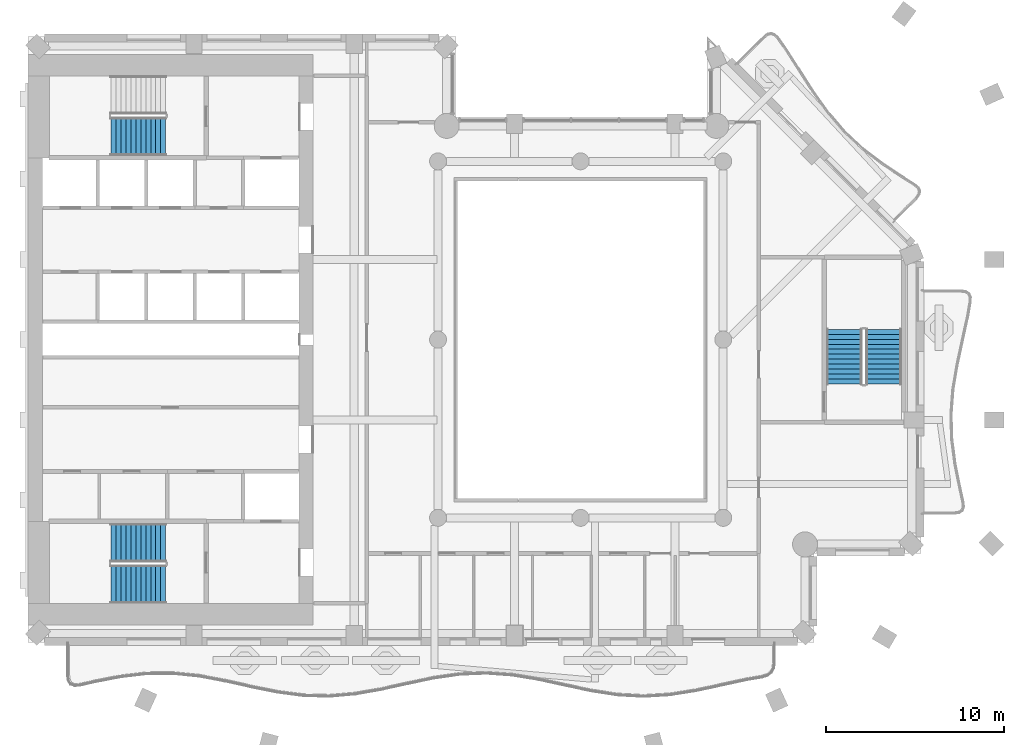
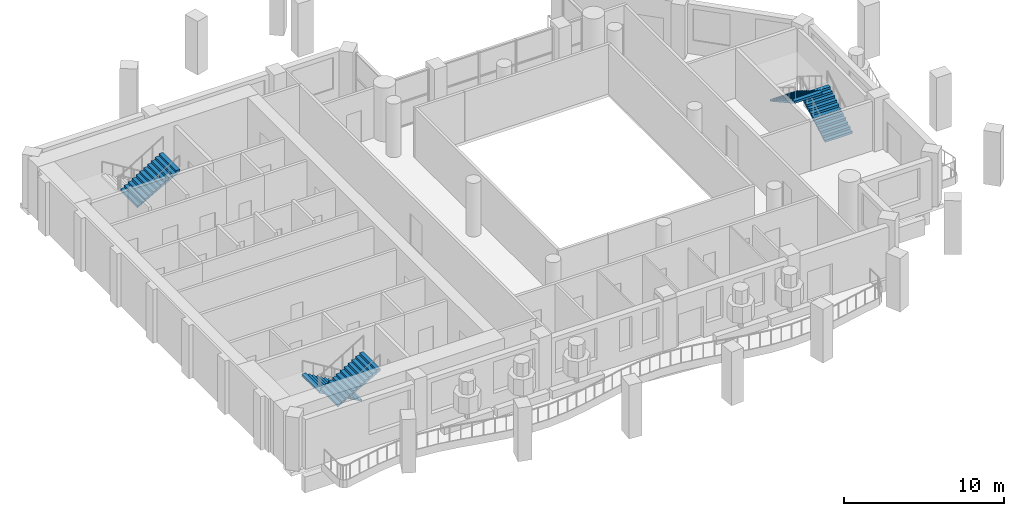
# One storey, part 8 of 15: 5 stair flights, 3 elements without a shape of their own.
"""IFC4 building model written with IfcOpenShell, lengths in metres."""

from ifc_helpers import new_model, si_unit, direction, frame, origin, place, context, subcontext, project, spatial, triangles, material, type_object, element, aggregate, save


model = new_model("IFC4")

# Units and contexts
model_context = context("Model", 3, precision=1e-05, world=origin(), true_north=direction((0.0, 1.0)))
body_context = subcontext(model_context, "Body", "Model", "MODEL_VIEW")
ifc_project = project(units=[si_unit("LENGTHUNIT", "METRE"), si_unit("AREAUNIT", "SQUARE_METRE"), si_unit("VOLUMEUNIT", "CUBIC_METRE"), si_unit("PLANEANGLEUNIT", "RADIAN"), si_unit("MASSUNIT", "GRAM", prefix="KILO")], contexts=[model_context])

# Site, building, storey
site_placement = place(None, origin())
site = spatial("IfcSite", under=ifc_project, at=site_placement, CompositionType="ELEMENT")
building_placement = place(site_placement, origin())
building = spatial("IfcBuilding", under=site, at=building_placement, Name="Cypress Arch Tower", CompositionType="ELEMENT")
storey_placement = place(building_placement, frame((0.0, 0.0, 176.89990234375)))
storey = spatial("IfcBuildingStorey", under=building, at=storey_placement, Name="L38", CompositionType="ELEMENT", Elevation=176.89990234375)

# Stair, stair flights
ifc_material_1 = material(Name="Concrete C40/50", Category="concrete")
stair_type_1 = type_object("IfcStairType", Name="Exit stair ES1708-200", PredefinedType="HALF_TURN_STAIR", material=ifc_material_1)
stair_1_placement = place(storey_placement, origin())
stair_1 = element("IfcStair", 1, at=stair_1_placement, inside=storey, type_object=stair_type_1, Name="L38 Exit stair C", PredefinedType="HALF_TURN_STAIR")
ifc_material_2 = material(Name="Concrete C40/50", Category="concrete")
stair_flight_type_1 = type_object("IfcStairFlightType", Name="Exit stair flight ES1708-200", PredefinedType="STRAIGHT", material=ifc_material_2)
stair_flight_1_placement = place(storey_placement, frame((18.0, -2.5, 0.0), z_axis=(0.0, 0.0, 1.0), x_axis=(0.0, 1.0, 0.0)))
stair_flight_1 = element("IfcStairFlight", 2, at=stair_flight_1_placement, type_object=stair_flight_type_1, Name="C flight 1", NumberOfRisers=12, NumberOfTreads=11, PredefinedType="STRAIGHT", RiserHeight=0.170833333, TreadLength=0.28, context=body_context, shape_type="Tessellation", body=[
    triangles([(0.0, -1.0, 0.0), (0.0, -1.0, 0.1708984375), (0.280029296875, -1.0, 0.1708984375), (0.280029296875, -1.0, 0.341552734375), (0.56005859375, -1.0, 0.341552734375), (0.56005859375, -1.0, 0.512451171875), (0.840087890625, -1.0, 0.512451171875), (0.840087890625, -1.0, 0.683349609375), (1.1201171875, -1.0, 0.683349609375), (1.1201171875, -1.0, 0.854248046875), (1.39990234375, -1.0, 0.854248046875), (1.39990234375, -1.0, 1.02490234375), (1.679931640625, -1.0, 1.02490234375), (1.679931640625, -1.0, 1.19580078125), (1.9599609375, -1.0, 1.19580078125), (1.9599609375, -1.0, 1.36669921875), (2.239990234375, -1.0, 1.36669921875), (2.239990234375, -1.0, 1.53759765625), (2.52001953125, -1.0, 1.53759765625), (2.52001953125, -1.0, 1.708251953125), (2.800048828125, -1.0, 1.708251953125), (2.800048828125, -1.0, 1.879150390625), (3.080078125, -1.0, 1.879150390625), (3.080078125, -1.0, 1.70361328125), (3.080078125, 1.0, 1.70361328125), (3.080078125, 1.0, 1.879150390625), (2.800048828125, 1.0, 1.879150390625), (2.800048828125, 1.0, 1.708251953125), (2.52001953125, 1.0, 1.708251953125), (2.52001953125, 1.0, 1.53759765625), (2.239990234375, 1.0, 1.53759765625), (2.239990234375, 1.0, 1.36669921875), (1.9599609375, 1.0, 1.36669921875), (1.9599609375, 1.0, 1.19580078125), (1.679931640625, 1.0, 1.19580078125), (1.679931640625, 1.0, 1.02490234375), (1.39990234375, 1.0, 1.02490234375), (1.39990234375, 1.0, 0.854248046875), (1.1201171875, 1.0, 0.854248046875), (1.1201171875, 1.0, 0.683349609375), (0.840087890625, 1.0, 0.683349609375), (0.840087890625, 1.0, 0.512451171875), (0.56005859375, 1.0, 0.512451171875), (0.56005859375, 1.0, 0.341552734375), (0.280029296875, 1.0, 0.341552734375), (0.280029296875, 1.0, 0.1708984375), (0.0, 1.0, 0.1708984375), (0.0, 1.0, 0.0), (3.080078125, 0.0, 1.879150390625), (3.080078125, 0.0, 1.70361328125), (2.800048828125, 0.0, 1.879150390625), (2.800048828125, 0.0, 1.708251953125), (2.52001953125, 0.0, 1.708251953125), (2.52001953125, 0.0, 1.53759765625), (2.239990234375, 0.0, 1.53759765625), (2.239990234375, 0.0, 1.36669921875), (1.9599609375, 0.0, 1.36669921875), (1.9599609375, 0.0, 1.19580078125), (1.679931640625, 0.0, 1.19580078125), (1.679931640625, 0.0, 1.02490234375), (1.39990234375, 0.0, 1.02490234375), (1.39990234375, 0.0, 0.854248046875), (1.1201171875, 0.0, 0.854248046875), (1.1201171875, 0.0, 0.683349609375), (0.840087890625, 0.0, 0.683349609375), (0.840087890625, 0.0, 0.512451171875), (0.56005859375, 0.0, 0.512451171875), (0.56005859375, 0.0, 0.341552734375), (0.280029296875, 0.0, 0.341552734375), (0.280029296875, 0.0, 0.1708984375), (0.0, 0.0, 0.1708984375), (0.0, 0.0, 0.0)], [[24, 23, 22], [11, 10, 9], [19, 18, 17], [17, 16, 15], [15, 14, 13], [9, 8, 7], [7, 6, 5], [3, 2, 1], [21, 20, 19], [13, 12, 11], [5, 4, 3], [24, 22, 21], [24, 21, 19], [24, 19, 17], [24, 17, 15], [24, 15, 13], [24, 13, 11], [24, 11, 9], [24, 9, 7], [24, 7, 5], [1, 24, 5], [5, 3, 1], [25, 27, 26], [38, 40, 39], [30, 32, 31], [32, 34, 33], [34, 36, 35], [40, 42, 41], [42, 44, 43], [46, 48, 47], [28, 30, 29], [36, 38, 37], [44, 46, 45], [25, 28, 27], [25, 30, 28], [25, 32, 30], [25, 34, 32], [25, 36, 34], [25, 38, 36], [25, 40, 38], [25, 42, 40], [25, 44, 42], [48, 44, 25], [44, 48, 46], [50, 49, 23], [50, 23, 24], [25, 26, 49], [25, 49, 50], [49, 51, 22], [49, 22, 23], [26, 27, 51], [26, 51, 49], [51, 52, 21], [51, 21, 22], [27, 28, 52], [27, 52, 51], [52, 53, 20], [52, 20, 21], [28, 29, 53], [28, 53, 52], [53, 54, 19], [53, 19, 20], [29, 30, 54], [29, 54, 53], [54, 55, 18], [54, 18, 19], [30, 31, 55], [30, 55, 54], [55, 56, 17], [55, 17, 18], [31, 32, 56], [31, 56, 55], [56, 57, 16], [56, 16, 17], [32, 33, 57], [32, 57, 56], [57, 58, 15], [57, 15, 16], [33, 34, 58], [33, 58, 57], [58, 59, 14], [58, 14, 15], [34, 35, 59], [34, 59, 58], [59, 60, 13], [59, 13, 14], [35, 36, 60], [35, 60, 59], [60, 61, 12], [60, 12, 13], [36, 37, 61], [36, 61, 60], [61, 62, 11], [61, 11, 12], [37, 38, 62], [37, 62, 61], [62, 63, 10], [62, 10, 11], [38, 39, 63], [38, 63, 62], [63, 64, 9], [63, 9, 10], [39, 40, 64], [39, 64, 63], [64, 65, 8], [64, 8, 9], [40, 41, 65], [40, 65, 64], [65, 66, 7], [65, 7, 8], [41, 42, 66], [41, 66, 65], [66, 67, 6], [66, 6, 7], [42, 43, 67], [42, 67, 66], [67, 68, 5], [67, 5, 6], [43, 44, 68], [43, 68, 67], [68, 69, 4], [68, 4, 5], [44, 45, 69], [44, 69, 68], [69, 70, 3], [69, 3, 4], [45, 46, 70], [45, 70, 69], [70, 71, 2], [70, 2, 3], [46, 47, 71], [46, 71, 70], [71, 72, 1], [71, 1, 2], [47, 48, 72], [47, 72, 71], [72, 50, 24], [72, 24, 1], [48, 25, 50], [48, 50, 72]], closed=True),
])
stair_flight_2_placement = place(storey_placement, frame((15.800048828125, 0.580078125, 2.050048828125), z_axis=(0.0, 0.0, 1.0), x_axis=(0.0, -1.0, 0.0)))
stair_flight_2 = element("IfcStairFlight", 3, at=stair_flight_2_placement, type_object=stair_flight_type_1, Name="C flight 2", NumberOfRisers=12, NumberOfTreads=11, PredefinedType="STRAIGHT", RiserHeight=0.170833333, TreadLength=0.28, context=body_context, shape_type="Tessellation", body=[
    triangles([(0.0, -1.0, 0.0), (0.0, -1.0, 0.1708984375), (0.280029296875, -1.0, 0.1708984375), (0.280029296875, -1.0, 0.341552734375), (0.56005859375, -1.0, 0.341552734375), (0.56005859375, -1.0, 0.512451171875), (0.840087890625, -1.0, 0.512451171875), (0.840087890625, -1.0, 0.683349609375), (1.1201171875, -1.0, 0.683349609375), (1.1201171875, -1.0, 0.854248046875), (1.39990234375, -1.0, 0.854248046875), (1.39990234375, -1.0, 1.02490234375), (1.679931640625, -1.0, 1.02490234375), (1.679931640625, -1.0, 1.19580078125), (1.9599609375, -1.0, 1.19580078125), (1.9599609375, -1.0, 1.36669921875), (2.239990234375, -1.0, 1.36669921875), (2.239990234375, -1.0, 1.53759765625), (2.52001953125, -1.0, 1.53759765625), (2.52001953125, -1.0, 1.708251953125), (2.800048828125, -1.0, 1.708251953125), (2.800048828125, -1.0, 1.879150390625), (3.080078125, -1.0, 1.879150390625), (3.080078125, -1.0, 1.70361328125), (3.080078125, 1.0, 1.70361328125), (3.080078125, 1.0, 1.879150390625), (2.800048828125, 1.0, 1.879150390625), (2.800048828125, 1.0, 1.708251953125), (2.52001953125, 1.0, 1.708251953125), (2.52001953125, 1.0, 1.53759765625), (2.239990234375, 1.0, 1.53759765625), (2.239990234375, 1.0, 1.36669921875), (1.9599609375, 1.0, 1.36669921875), (1.9599609375, 1.0, 1.19580078125), (1.679931640625, 1.0, 1.19580078125), (1.679931640625, 1.0, 1.02490234375), (1.39990234375, 1.0, 1.02490234375), (1.39990234375, 1.0, 0.854248046875), (1.1201171875, 1.0, 0.854248046875), (1.1201171875, 1.0, 0.683349609375), (0.840087890625, 1.0, 0.683349609375), (0.840087890625, 1.0, 0.512451171875), (0.56005859375, 1.0, 0.512451171875), (0.56005859375, 1.0, 0.341552734375), (0.280029296875, 1.0, 0.341552734375), (0.280029296875, 1.0, 0.1708984375), (0.0, 1.0, 0.1708984375), (0.0, 1.0, 0.0), (3.080078125, 0.0, 1.879150390625), (3.080078125, 0.0, 1.70361328125), (2.800048828125, 0.0, 1.879150390625), (2.800048828125, 0.0, 1.708251953125), (2.52001953125, 0.0, 1.708251953125), (2.52001953125, 0.0, 1.53759765625), (2.239990234375, 0.0, 1.53759765625), (2.239990234375, 0.0, 1.36669921875), (1.9599609375, 0.0, 1.36669921875), (1.9599609375, 0.0, 1.19580078125), (1.679931640625, 0.0, 1.19580078125), (1.679931640625, 0.0, 1.02490234375), (1.39990234375, 0.0, 1.02490234375), (1.39990234375, 0.0, 0.854248046875), (1.1201171875, 0.0, 0.854248046875), (1.1201171875, 0.0, 0.683349609375), (0.840087890625, 0.0, 0.683349609375), (0.840087890625, 0.0, 0.512451171875), (0.56005859375, 0.0, 0.512451171875), (0.56005859375, 0.0, 0.341552734375), (0.280029296875, 0.0, 0.341552734375), (0.280029296875, 0.0, 0.1708984375), (0.0, 0.0, 0.1708984375), (0.0, 0.0, 0.0)], [[24, 23, 22], [11, 10, 9], [19, 18, 17], [17, 16, 15], [15, 14, 13], [9, 8, 7], [7, 6, 5], [3, 2, 1], [21, 20, 19], [13, 12, 11], [5, 4, 3], [24, 22, 21], [24, 21, 19], [24, 19, 17], [24, 17, 15], [24, 15, 13], [24, 13, 11], [24, 11, 9], [24, 9, 7], [24, 7, 5], [1, 24, 5], [5, 3, 1], [25, 27, 26], [38, 40, 39], [30, 32, 31], [32, 34, 33], [34, 36, 35], [40, 42, 41], [42, 44, 43], [46, 48, 47], [28, 30, 29], [36, 38, 37], [44, 46, 45], [25, 28, 27], [25, 30, 28], [25, 32, 30], [25, 34, 32], [25, 36, 34], [25, 38, 36], [25, 40, 38], [25, 42, 40], [25, 44, 42], [48, 44, 25], [44, 48, 46], [50, 49, 23], [50, 23, 24], [25, 26, 49], [25, 49, 50], [49, 51, 22], [49, 22, 23], [26, 27, 51], [26, 51, 49], [51, 52, 21], [51, 21, 22], [27, 28, 52], [27, 52, 51], [52, 53, 20], [52, 20, 21], [28, 29, 53], [28, 53, 52], [53, 54, 19], [53, 19, 20], [29, 30, 54], [29, 54, 53], [54, 55, 18], [54, 18, 19], [30, 31, 55], [30, 55, 54], [55, 56, 17], [55, 17, 18], [31, 32, 56], [31, 56, 55], [56, 57, 16], [56, 16, 17], [32, 33, 57], [32, 57, 56], [57, 58, 15], [57, 15, 16], [33, 34, 58], [33, 58, 57], [58, 59, 14], [58, 14, 15], [34, 35, 59], [34, 59, 58], [59, 60, 13], [59, 13, 14], [35, 36, 60], [35, 60, 59], [60, 61, 12], [60, 12, 13], [36, 37, 61], [36, 61, 60], [61, 62, 11], [61, 11, 12], [37, 38, 62], [37, 62, 61], [62, 63, 10], [62, 10, 11], [38, 39, 63], [38, 63, 62], [63, 64, 9], [63, 9, 10], [39, 40, 64], [39, 64, 63], [64, 65, 8], [64, 8, 9], [40, 41, 65], [40, 65, 64], [65, 66, 7], [65, 7, 8], [41, 42, 66], [41, 66, 65], [66, 67, 6], [66, 6, 7], [42, 43, 67], [42, 67, 66], [67, 68, 5], [67, 5, 6], [43, 44, 68], [43, 68, 67], [68, 69, 4], [68, 4, 5], [44, 45, 69], [44, 69, 68], [69, 70, 3], [69, 3, 4], [45, 46, 70], [45, 70, 69], [70, 71, 2], [70, 2, 3], [46, 47, 71], [46, 71, 70], [71, 72, 1], [71, 1, 2], [47, 48, 72], [47, 72, 71], [72, 50, 24], [72, 24, 1], [48, 25, 50], [48, 50, 72]], closed=True),
])
aggregate(stair_1, [stair_flight_1, stair_flight_2])

ifc_material_3 = material(Name="Concrete C40/50", Category="concrete")
stair_type_2 = type_object("IfcStairType", Name="Exit stair ES1708-215", PredefinedType="HALF_TURN_STAIR", material=ifc_material_3)
stair_2_placement = place(storey_placement, origin())
stair_2 = element("IfcStair", 4, at=stair_2_placement, inside=storey, type_object=stair_type_2, Name="L38 Exit stair A", PredefinedType="HALF_TURN_STAIR")
ifc_material_4 = material(Name="Concrete C40/50", Category="concrete")
stair_flight_type_2 = type_object("IfcStairFlightType", Name="Exit stair flight ES1708-215", PredefinedType="STRAIGHT", material=ifc_material_4)
stair_flight_3_placement = place(storey_placement, frame((-22.27490234375, -11.39990234375, 0.0), z_axis=(0.0, 0.0, 1.0), x_axis=(-1.0, 0.0, 0.0)))
stair_flight_3 = element("IfcStairFlight", 5, at=stair_flight_3_placement, type_object=stair_flight_type_2, Name="A flight 1", NumberOfRisers=12, NumberOfTreads=11, PredefinedType="STRAIGHT", RiserHeight=0.170833333, TreadLength=0.28, context=body_context, shape_type="Tessellation", body=[
    triangles([(0.0, -1.074951171875, 0.0), (0.000244140625, -1.074951171875, 0.01904296875), (0.000244140625, -1.074951171875, 0.0380859375), (0.00048828125, -1.074951171875, 0.056884765625), (0.00048828125, -1.074951171875, 0.075927734375), (0.00048828125, -1.074951171875, 0.094970703125), (0.00048828125, -1.074951171875, 0.114013671875), (0.000244140625, -1.074951171875, 0.1328125), (0.000244140625, -1.074951171875, 0.15185546875), (0.0, -1.074951171875, 0.1708984375), (0.280029296875, -1.074951171875, 0.1708984375), (0.280029296875, -1.074951171875, 0.341552734375), (0.56005859375, -1.074951171875, 0.341552734375), (0.56005859375, -1.074951171875, 0.512451171875), (0.840087890625, -1.074951171875, 0.512451171875), (0.840087890625, -1.074951171875, 0.683349609375), (1.1201171875, -1.074951171875, 0.683349609375), (1.1201171875, -1.074951171875, 0.854248046875), (1.39990234375, -1.074951171875, 0.854248046875), (1.39990234375, -1.074951171875, 1.02490234375), (1.679931640625, -1.074951171875, 1.02490234375), (1.679931640625, -1.074951171875, 1.19580078125), (1.9599609375, -1.074951171875, 1.19580078125), (1.9599609375, -1.074951171875, 1.36669921875), (2.239990234375, -1.074951171875, 1.36669921875), (2.239990234375, -1.074951171875, 1.53759765625), (2.52001953125, -1.074951171875, 1.53759765625), (2.52001953125, -1.074951171875, 1.708251953125), (2.800048828125, -1.074951171875, 1.708251953125), (2.800048828125, -1.074951171875, 1.879150390625), (3.080078125, -1.074951171875, 1.879150390625), (3.079833984375, -1.074951171875, 1.859619140625), (3.079833984375, -1.074951171875, 1.840087890625), (3.07958984375, -1.074951171875, 1.820556640625), (3.07958984375, -1.074951171875, 1.801025390625), (3.07958984375, -1.074951171875, 1.78173828125), (3.07958984375, -1.074951171875, 1.76220703125), (3.079833984375, -1.074951171875, 1.74267578125), (3.079833984375, -1.074951171875, 1.72314453125), (3.080078125, -1.074951171875, 1.70361328125), (3.080078125, 1.074951171875, 1.70361328125), (3.079833984375, 1.074951171875, 1.72314453125), (3.079833984375, 1.074951171875, 1.74267578125), (3.07958984375, 1.074951171875, 1.76220703125), (3.07958984375, 1.074951171875, 1.78173828125), (3.07958984375, 1.074951171875, 1.801025390625), (3.07958984375, 1.074951171875, 1.820556640625), (3.079833984375, 1.074951171875, 1.840087890625), (3.079833984375, 1.074951171875, 1.859619140625), (3.080078125, 1.074951171875, 1.879150390625), (2.800048828125, 1.074951171875, 1.879150390625), (2.800048828125, 1.074951171875, 1.708251953125), (2.52001953125, 1.074951171875, 1.708251953125), (2.52001953125, 1.074951171875, 1.53759765625), (2.239990234375, 1.074951171875, 1.53759765625), (2.239990234375, 1.074951171875, 1.36669921875), (1.9599609375, 1.074951171875, 1.36669921875), (1.9599609375, 1.074951171875, 1.19580078125), (1.679931640625, 1.074951171875, 1.19580078125), (1.679931640625, 1.074951171875, 1.02490234375), (1.39990234375, 1.074951171875, 1.02490234375), (1.39990234375, 1.074951171875, 0.854248046875), (1.1201171875, 1.074951171875, 0.854248046875), (1.1201171875, 1.074951171875, 0.683349609375), (0.840087890625, 1.074951171875, 0.683349609375), (0.840087890625, 1.074951171875, 0.512451171875), (0.56005859375, 1.074951171875, 0.512451171875), (0.56005859375, 1.074951171875, 0.341552734375), (0.280029296875, 1.074951171875, 0.341552734375), (0.280029296875, 1.074951171875, 0.1708984375), (0.0, 1.074951171875, 0.1708984375), (0.000244140625, 1.074951171875, 0.15185546875), (0.000244140625, 1.074951171875, 0.1328125), (0.00048828125, 1.074951171875, 0.114013671875), (0.00048828125, 1.074951171875, 0.094970703125), (0.00048828125, 1.074951171875, 0.075927734375), (0.00048828125, 1.074951171875, 0.056884765625), (0.000244140625, 1.074951171875, 0.0380859375), (0.000244140625, 1.074951171875, 0.01904296875), (0.0, 1.074951171875, 0.0)], [[40, 39, 30], [39, 38, 30], [38, 37, 30], [37, 36, 30], [36, 35, 30], [35, 34, 30], [34, 33, 30], [33, 32, 30], [32, 31, 30], [19, 18, 17], [27, 26, 25], [25, 24, 23], [23, 22, 21], [17, 16, 15], [15, 14, 13], [10, 9, 11], [9, 8, 11], [8, 7, 11], [7, 6, 11], [6, 5, 11], [5, 4, 11], [4, 3, 11], [3, 2, 11], [2, 1, 11], [29, 28, 27], [21, 20, 19], [13, 12, 11], [40, 30, 29], [40, 29, 27], [40, 27, 25], [40, 25, 23], [40, 23, 21], [40, 21, 19], [40, 19, 17], [40, 17, 15], [40, 15, 13], [1, 40, 13], [13, 11, 1], [41, 51, 42], [42, 51, 43], [43, 51, 44], [44, 51, 45], [45, 51, 46], [46, 51, 47], [47, 51, 48], [48, 51, 49], [49, 51, 50], [62, 64, 63], [54, 56, 55], [56, 58, 57], [58, 60, 59], [64, 66, 65], [66, 68, 67], [71, 70, 72], [72, 70, 73], [73, 70, 74], [74, 70, 75], [75, 70, 76], [76, 70, 77], [77, 70, 78], [78, 70, 79], [79, 70, 80], [52, 54, 53], [60, 62, 61], [68, 70, 69], [41, 52, 51], [41, 54, 52], [41, 56, 54], [41, 58, 56], [41, 60, 58], [41, 62, 60], [41, 64, 62], [41, 66, 64], [41, 68, 66], [80, 68, 41], [68, 80, 70], [41, 42, 39], [41, 39, 40], [42, 43, 38], [42, 38, 39], [43, 44, 37], [43, 37, 38], [44, 45, 36], [44, 36, 37], [45, 46, 35], [45, 35, 36], [46, 47, 34], [46, 34, 35], [47, 48, 33], [47, 33, 34], [48, 49, 32], [48, 32, 33], [49, 50, 31], [49, 31, 32], [50, 51, 30], [50, 30, 31], [51, 52, 29], [51, 29, 30], [52, 53, 28], [52, 28, 29], [53, 54, 27], [53, 27, 28], [54, 55, 26], [54, 26, 27], [55, 56, 25], [55, 25, 26], [56, 57, 24], [56, 24, 25], [57, 58, 23], [57, 23, 24], [58, 59, 22], [58, 22, 23], [59, 60, 21], [59, 21, 22], [60, 61, 20], [60, 20, 21], [61, 62, 19], [61, 19, 20], [62, 63, 18], [62, 18, 19], [63, 64, 17], [63, 17, 18], [64, 65, 16], [64, 16, 17], [65, 66, 15], [65, 15, 16], [66, 67, 14], [66, 14, 15], [67, 68, 13], [67, 13, 14], [68, 69, 12], [68, 12, 13], [69, 70, 11], [69, 11, 12], [70, 71, 10], [70, 10, 11], [71, 72, 9], [71, 9, 10], [72, 73, 8], [72, 8, 9], [73, 74, 7], [73, 7, 8], [74, 75, 6], [74, 6, 7], [75, 76, 5], [75, 5, 6], [76, 77, 4], [76, 4, 5], [77, 78, 3], [77, 3, 4], [78, 79, 2], [78, 2, 3], [79, 80, 1], [79, 1, 2], [80, 41, 40], [80, 40, 1]], closed=True),
])
stair_flight_4_placement = place(storey_placement, frame((-25.35498046875, -13.72509765625, 2.050048828125), z_axis=(0.0, 0.0, 1.0), x_axis=(1.0, 0.0, 0.0)))
stair_flight_4 = element("IfcStairFlight", 6, at=stair_flight_4_placement, type_object=stair_flight_type_2, Name="A flight 2", NumberOfRisers=12, NumberOfTreads=11, PredefinedType="STRAIGHT", RiserHeight=0.170833333, TreadLength=0.28, context=body_context, shape_type="Tessellation", body=[
    triangles([(0.0, -1.074951171875, 0.0), (0.000244140625, -1.074951171875, 0.01904296875), (0.000244140625, -1.074951171875, 0.0380859375), (0.00048828125, -1.074951171875, 0.056884765625), (0.00048828125, -1.074951171875, 0.075927734375), (0.00048828125, -1.074951171875, 0.094970703125), (0.00048828125, -1.074951171875, 0.114013671875), (0.000244140625, -1.074951171875, 0.1328125), (0.000244140625, -1.074951171875, 0.15185546875), (0.0, -1.074951171875, 0.1708984375), (0.280029296875, -1.074951171875, 0.1708984375), (0.280029296875, -1.074951171875, 0.341552734375), (0.56005859375, -1.074951171875, 0.341552734375), (0.56005859375, -1.074951171875, 0.512451171875), (0.840087890625, -1.074951171875, 0.512451171875), (0.840087890625, -1.074951171875, 0.683349609375), (1.1201171875, -1.074951171875, 0.683349609375), (1.1201171875, -1.074951171875, 0.854248046875), (1.39990234375, -1.074951171875, 0.854248046875), (1.39990234375, -1.074951171875, 1.02490234375), (1.679931640625, -1.074951171875, 1.02490234375), (1.679931640625, -1.074951171875, 1.19580078125), (1.9599609375, -1.074951171875, 1.19580078125), (1.9599609375, -1.074951171875, 1.36669921875), (2.239990234375, -1.074951171875, 1.36669921875), (2.239990234375, -1.074951171875, 1.53759765625), (2.52001953125, -1.074951171875, 1.53759765625), (2.52001953125, -1.074951171875, 1.708251953125), (2.800048828125, -1.074951171875, 1.708251953125), (2.800048828125, -1.074951171875, 1.879150390625), (3.080078125, -1.074951171875, 1.879150390625), (3.079833984375, -1.074951171875, 1.859619140625), (3.079833984375, -1.074951171875, 1.840087890625), (3.07958984375, -1.074951171875, 1.820556640625), (3.07958984375, -1.074951171875, 1.801025390625), (3.07958984375, -1.074951171875, 1.78173828125), (3.07958984375, -1.074951171875, 1.76220703125), (3.079833984375, -1.074951171875, 1.74267578125), (3.079833984375, -1.074951171875, 1.72314453125), (3.080078125, -1.074951171875, 1.70361328125), (3.080078125, 1.074951171875, 1.70361328125), (3.079833984375, 1.074951171875, 1.72314453125), (3.079833984375, 1.074951171875, 1.74267578125), (3.07958984375, 1.074951171875, 1.76220703125), (3.07958984375, 1.074951171875, 1.78173828125), (3.07958984375, 1.074951171875, 1.801025390625), (3.07958984375, 1.074951171875, 1.820556640625), (3.079833984375, 1.074951171875, 1.840087890625), (3.079833984375, 1.074951171875, 1.859619140625), (3.080078125, 1.074951171875, 1.879150390625), (2.800048828125, 1.074951171875, 1.879150390625), (2.800048828125, 1.074951171875, 1.708251953125), (2.52001953125, 1.074951171875, 1.708251953125), (2.52001953125, 1.074951171875, 1.53759765625), (2.239990234375, 1.074951171875, 1.53759765625), (2.239990234375, 1.074951171875, 1.36669921875), (1.9599609375, 1.074951171875, 1.36669921875), (1.9599609375, 1.074951171875, 1.19580078125), (1.679931640625, 1.074951171875, 1.19580078125), (1.679931640625, 1.074951171875, 1.02490234375), (1.39990234375, 1.074951171875, 1.02490234375), (1.39990234375, 1.074951171875, 0.854248046875), (1.1201171875, 1.074951171875, 0.854248046875), (1.1201171875, 1.074951171875, 0.683349609375), (0.840087890625, 1.074951171875, 0.683349609375), (0.840087890625, 1.074951171875, 0.512451171875), (0.56005859375, 1.074951171875, 0.512451171875), (0.56005859375, 1.074951171875, 0.341552734375), (0.280029296875, 1.074951171875, 0.341552734375), (0.280029296875, 1.074951171875, 0.1708984375), (0.0, 1.074951171875, 0.1708984375), (0.000244140625, 1.074951171875, 0.15185546875), (0.000244140625, 1.074951171875, 0.1328125), (0.00048828125, 1.074951171875, 0.114013671875), (0.00048828125, 1.074951171875, 0.094970703125), (0.00048828125, 1.074951171875, 0.075927734375), (0.00048828125, 1.074951171875, 0.056884765625), (0.000244140625, 1.074951171875, 0.0380859375), (0.000244140625, 1.074951171875, 0.01904296875), (0.0, 1.074951171875, 0.0)], [[40, 39, 30], [39, 38, 30], [38, 37, 30], [37, 36, 30], [36, 35, 30], [35, 34, 30], [34, 33, 30], [33, 32, 30], [32, 31, 30], [19, 18, 17], [27, 26, 25], [25, 24, 23], [23, 22, 21], [17, 16, 15], [15, 14, 13], [10, 9, 11], [9, 8, 11], [8, 7, 11], [7, 6, 11], [6, 5, 11], [5, 4, 11], [4, 3, 11], [3, 2, 11], [2, 1, 11], [29, 28, 27], [21, 20, 19], [13, 12, 11], [40, 30, 29], [40, 29, 27], [40, 27, 25], [40, 25, 23], [40, 23, 21], [40, 21, 19], [40, 19, 17], [40, 17, 15], [40, 15, 13], [1, 40, 13], [13, 11, 1], [41, 51, 42], [42, 51, 43], [43, 51, 44], [44, 51, 45], [45, 51, 46], [46, 51, 47], [47, 51, 48], [48, 51, 49], [49, 51, 50], [62, 64, 63], [54, 56, 55], [56, 58, 57], [58, 60, 59], [64, 66, 65], [66, 68, 67], [71, 70, 72], [72, 70, 73], [73, 70, 74], [74, 70, 75], [75, 70, 76], [76, 70, 77], [77, 70, 78], [78, 70, 79], [79, 70, 80], [52, 54, 53], [60, 62, 61], [68, 70, 69], [41, 52, 51], [41, 54, 52], [41, 56, 54], [41, 58, 56], [41, 60, 58], [41, 62, 60], [41, 64, 62], [41, 66, 64], [41, 68, 66], [80, 68, 41], [68, 80, 70], [41, 42, 39], [41, 39, 40], [42, 43, 38], [42, 38, 39], [43, 44, 37], [43, 37, 38], [44, 45, 36], [44, 36, 37], [45, 46, 35], [45, 35, 36], [46, 47, 34], [46, 34, 35], [47, 48, 33], [47, 33, 34], [48, 49, 32], [48, 32, 33], [49, 50, 31], [49, 31, 32], [50, 51, 30], [50, 30, 31], [51, 52, 29], [51, 29, 30], [52, 53, 28], [52, 28, 29], [53, 54, 27], [53, 27, 28], [54, 55, 26], [54, 26, 27], [55, 56, 25], [55, 25, 26], [56, 57, 24], [56, 24, 25], [57, 58, 23], [57, 23, 24], [58, 59, 22], [58, 22, 23], [59, 60, 21], [59, 21, 22], [60, 61, 20], [60, 20, 21], [61, 62, 19], [61, 19, 20], [62, 63, 18], [62, 18, 19], [63, 64, 17], [63, 17, 18], [64, 65, 16], [64, 16, 17], [65, 66, 15], [65, 15, 16], [66, 67, 14], [66, 14, 15], [67, 68, 13], [67, 13, 14], [68, 69, 12], [68, 12, 13], [69, 70, 11], [69, 11, 12], [70, 71, 10], [70, 10, 11], [71, 72, 9], [71, 9, 10], [72, 73, 8], [72, 8, 9], [73, 74, 7], [73, 7, 8], [74, 75, 6], [74, 6, 7], [75, 76, 5], [75, 5, 6], [76, 77, 4], [76, 4, 5], [77, 78, 3], [77, 3, 4], [78, 79, 2], [78, 2, 3], [79, 80, 1], [79, 1, 2], [80, 41, 40], [80, 40, 1]], closed=True),
])
aggregate(stair_2, [stair_flight_3, stair_flight_4])

# Stair, stair flight
stair_3_placement = place(storey_placement, origin())
stair_3 = element("IfcStair", 7, at=stair_3_placement, inside=storey, type_object=stair_type_2, Name="L38 Exit stair B", PredefinedType="HALF_TURN_STAIR")
stair_flight_5_placement = place(storey_placement, frame((-25.35498046875, 11.39990234375, 2.050048828125), z_axis=(0.0, 0.0, 1.0), x_axis=(1.0, 0.0, 0.0)))
stair_flight_5 = element("IfcStairFlight", 8, at=stair_flight_5_placement, type_object=stair_flight_type_2, Name="B flight 2", NumberOfRisers=12, NumberOfTreads=11, PredefinedType="STRAIGHT", RiserHeight=0.170833333, TreadLength=0.28, context=body_context, shape_type="Tessellation", body=[
    triangles([(0.0, -1.074951171875, 0.0), (0.000244140625, -1.074951171875, 0.01904296875), (0.000244140625, -1.074951171875, 0.0380859375), (0.00048828125, -1.074951171875, 0.056884765625), (0.00048828125, -1.074951171875, 0.075927734375), (0.00048828125, -1.074951171875, 0.094970703125), (0.00048828125, -1.074951171875, 0.114013671875), (0.000244140625, -1.074951171875, 0.1328125), (0.000244140625, -1.074951171875, 0.15185546875), (0.0, -1.074951171875, 0.1708984375), (0.280029296875, -1.074951171875, 0.1708984375), (0.280029296875, -1.074951171875, 0.341552734375), (0.56005859375, -1.074951171875, 0.341552734375), (0.56005859375, -1.074951171875, 0.512451171875), (0.840087890625, -1.074951171875, 0.512451171875), (0.840087890625, -1.074951171875, 0.683349609375), (1.1201171875, -1.074951171875, 0.683349609375), (1.1201171875, -1.074951171875, 0.854248046875), (1.39990234375, -1.074951171875, 0.854248046875), (1.39990234375, -1.074951171875, 1.02490234375), (1.679931640625, -1.074951171875, 1.02490234375), (1.679931640625, -1.074951171875, 1.19580078125), (1.9599609375, -1.074951171875, 1.19580078125), (1.9599609375, -1.074951171875, 1.36669921875), (2.239990234375, -1.074951171875, 1.36669921875), (2.239990234375, -1.074951171875, 1.53759765625), (2.52001953125, -1.074951171875, 1.53759765625), (2.52001953125, -1.074951171875, 1.708251953125), (2.800048828125, -1.074951171875, 1.708251953125), (2.800048828125, -1.074951171875, 1.879150390625), (3.080078125, -1.074951171875, 1.879150390625), (3.079833984375, -1.074951171875, 1.859619140625), (3.079833984375, -1.074951171875, 1.840087890625), (3.07958984375, -1.074951171875, 1.820556640625), (3.07958984375, -1.074951171875, 1.801025390625), (3.07958984375, -1.074951171875, 1.78173828125), (3.07958984375, -1.074951171875, 1.76220703125), (3.079833984375, -1.074951171875, 1.74267578125), (3.079833984375, -1.074951171875, 1.72314453125), (3.080078125, -1.074951171875, 1.70361328125), (3.080078125, 1.074951171875, 1.70361328125), (3.079833984375, 1.074951171875, 1.72314453125), (3.079833984375, 1.074951171875, 1.74267578125), (3.07958984375, 1.074951171875, 1.76220703125), (3.07958984375, 1.074951171875, 1.78173828125), (3.07958984375, 1.074951171875, 1.801025390625), (3.07958984375, 1.074951171875, 1.820556640625), (3.079833984375, 1.074951171875, 1.840087890625), (3.079833984375, 1.074951171875, 1.859619140625), (3.080078125, 1.074951171875, 1.879150390625), (2.800048828125, 1.074951171875, 1.879150390625), (2.800048828125, 1.074951171875, 1.708251953125), (2.52001953125, 1.074951171875, 1.708251953125), (2.52001953125, 1.074951171875, 1.53759765625), (2.239990234375, 1.074951171875, 1.53759765625), (2.239990234375, 1.074951171875, 1.36669921875), (1.9599609375, 1.074951171875, 1.36669921875), (1.9599609375, 1.074951171875, 1.19580078125), (1.679931640625, 1.074951171875, 1.19580078125), (1.679931640625, 1.074951171875, 1.02490234375), (1.39990234375, 1.074951171875, 1.02490234375), (1.39990234375, 1.074951171875, 0.854248046875), (1.1201171875, 1.074951171875, 0.854248046875), (1.1201171875, 1.074951171875, 0.683349609375), (0.840087890625, 1.074951171875, 0.683349609375), (0.840087890625, 1.074951171875, 0.512451171875), (0.56005859375, 1.074951171875, 0.512451171875), (0.56005859375, 1.074951171875, 0.341552734375), (0.280029296875, 1.074951171875, 0.341552734375), (0.280029296875, 1.074951171875, 0.1708984375), (0.0, 1.074951171875, 0.1708984375), (0.000244140625, 1.074951171875, 0.15185546875), (0.000244140625, 1.074951171875, 0.1328125), (0.00048828125, 1.074951171875, 0.114013671875), (0.00048828125, 1.074951171875, 0.094970703125), (0.00048828125, 1.074951171875, 0.075927734375), (0.00048828125, 1.074951171875, 0.056884765625), (0.000244140625, 1.074951171875, 0.0380859375), (0.000244140625, 1.074951171875, 0.01904296875), (0.0, 1.074951171875, 0.0)], [[40, 39, 30], [39, 38, 30], [38, 37, 30], [37, 36, 30], [36, 35, 30], [35, 34, 30], [34, 33, 30], [33, 32, 30], [32, 31, 30], [19, 18, 17], [27, 26, 25], [25, 24, 23], [23, 22, 21], [17, 16, 15], [15, 14, 13], [10, 9, 11], [9, 8, 11], [8, 7, 11], [7, 6, 11], [6, 5, 11], [5, 4, 11], [4, 3, 11], [3, 2, 11], [2, 1, 11], [29, 28, 27], [21, 20, 19], [13, 12, 11], [40, 30, 29], [40, 29, 27], [40, 27, 25], [40, 25, 23], [40, 23, 21], [40, 21, 19], [40, 19, 17], [40, 17, 15], [40, 15, 13], [1, 40, 13], [13, 11, 1], [41, 51, 42], [42, 51, 43], [43, 51, 44], [44, 51, 45], [45, 51, 46], [46, 51, 47], [47, 51, 48], [48, 51, 49], [49, 51, 50], [62, 64, 63], [54, 56, 55], [56, 58, 57], [58, 60, 59], [64, 66, 65], [66, 68, 67], [71, 70, 72], [72, 70, 73], [73, 70, 74], [74, 70, 75], [75, 70, 76], [76, 70, 77], [77, 70, 78], [78, 70, 79], [79, 70, 80], [52, 54, 53], [60, 62, 61], [68, 70, 69], [41, 52, 51], [41, 54, 52], [41, 56, 54], [41, 58, 56], [41, 60, 58], [41, 62, 60], [41, 64, 62], [41, 66, 64], [41, 68, 66], [80, 68, 41], [68, 80, 70], [41, 42, 39], [41, 39, 40], [42, 43, 38], [42, 38, 39], [43, 44, 37], [43, 37, 38], [44, 45, 36], [44, 36, 37], [45, 46, 35], [45, 35, 36], [46, 47, 34], [46, 34, 35], [47, 48, 33], [47, 33, 34], [48, 49, 32], [48, 32, 33], [49, 50, 31], [49, 31, 32], [50, 51, 30], [50, 30, 31], [51, 52, 29], [51, 29, 30], [52, 53, 28], [52, 28, 29], [53, 54, 27], [53, 27, 28], [54, 55, 26], [54, 26, 27], [55, 56, 25], [55, 25, 26], [56, 57, 24], [56, 24, 25], [57, 58, 23], [57, 23, 24], [58, 59, 22], [58, 22, 23], [59, 60, 21], [59, 21, 22], [60, 61, 20], [60, 20, 21], [61, 62, 19], [61, 19, 20], [62, 63, 18], [62, 18, 19], [63, 64, 17], [63, 17, 18], [64, 65, 16], [64, 16, 17], [65, 66, 15], [65, 15, 16], [66, 67, 14], [66, 14, 15], [67, 68, 13], [67, 13, 14], [68, 69, 12], [68, 12, 13], [69, 70, 11], [69, 11, 12], [70, 71, 10], [70, 10, 11], [71, 72, 9], [71, 9, 10], [72, 73, 8], [72, 8, 9], [73, 74, 7], [73, 7, 8], [74, 75, 6], [74, 6, 7], [75, 76, 5], [75, 5, 6], [76, 77, 4], [76, 4, 5], [77, 78, 3], [77, 3, 4], [78, 79, 2], [78, 2, 3], [79, 80, 1], [79, 1, 2], [80, 41, 40], [80, 40, 1]], closed=True),
])
aggregate(stair_3, [stair_flight_5])

save(model, "model.ifc")
